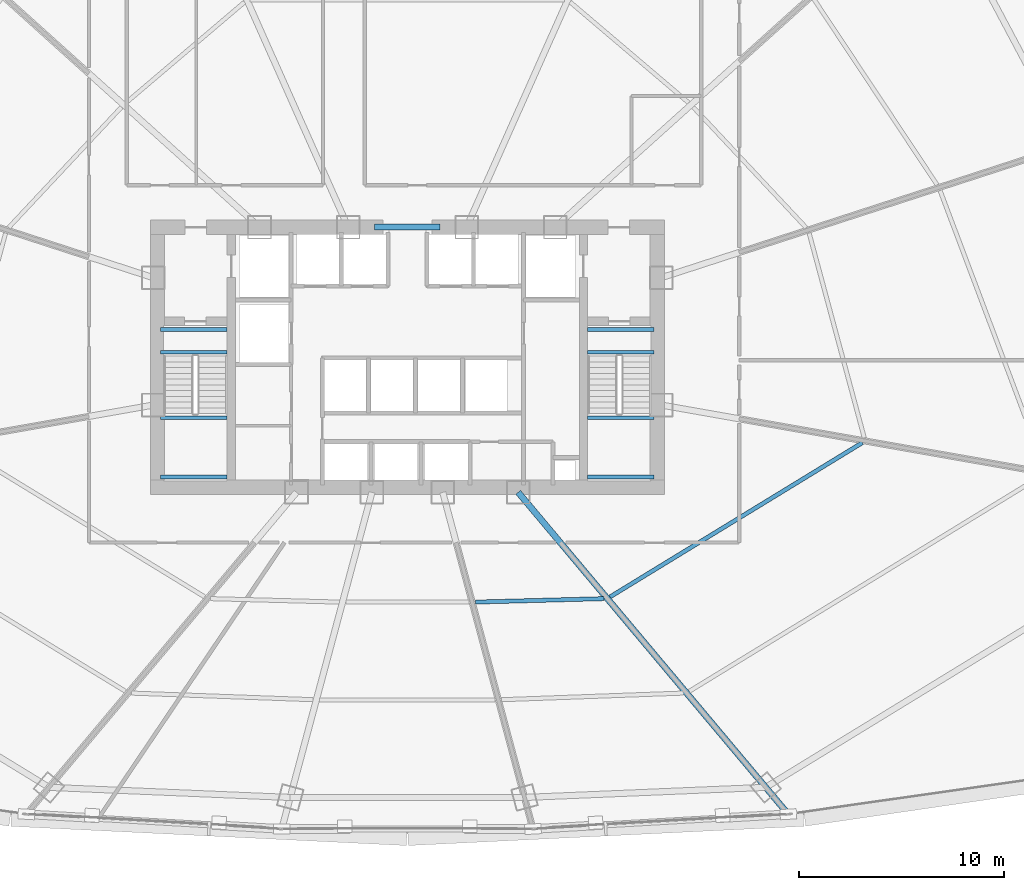
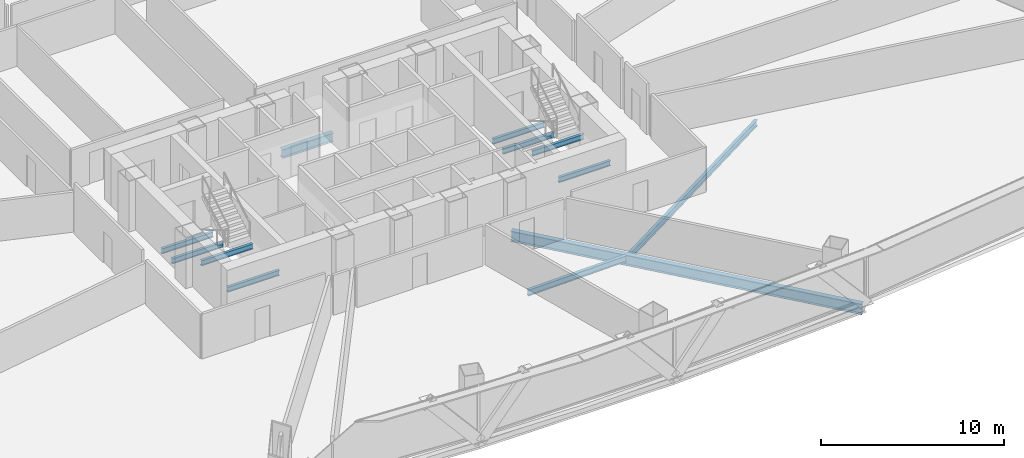
# One storey, part 13 of 42: 12 beams.
"""IFC4 building model written with IfcOpenShell, lengths in metres."""

import ifcopenshell
import ifcopenshell.guid

model = None  # the IFC model being written
_history = None  # IfcOwnerHistory: only IFC2X3 demands one
_inside = {}  # id of a spatial element -> (the spatial element, [elements in it])
_under = {}  # id of a project, library or spatial element -> (it, [spatial elements below it])
_declared = {}  # id of a project -> (the project, [libraries it declares])
_typed = {}  # id of a type object -> (the type object, [elements of that type])
_made_of = {}  # id of a material, layer set ... -> (it, [elements and type objects made of it])


def new_model(schema):
    """Start an empty IFC model of exactly this schema.

    Asked for "IFC4X3", IfcOpenShell would pick the latest addendum, in which some entities
    have other attributes; the version numbers below select the first issue.
    IFC2X3 requires an IfcOwnerHistory on every rooted entity: one is made here for all.
    """
    global model, _history
    if schema == "IFC4X3":
        model = ifcopenshell.file(schema_version=(4, 3, 0, 0))
    else:
        model = ifcopenshell.file(schema=schema)
    _inside.clear()
    _under.clear()
    _declared.clear()
    _typed.clear()
    _made_of.clear()
    _history = None
    if model.schema == "IFC2X3":
        org = make("IfcOrganization", Name="unknown")
        user = make(
            "IfcPersonAndOrganization",
            ThePerson=make("IfcPerson", FamilyName="unknown"),
            TheOrganization=org,
        )
        app = make(
            "IfcApplication",
            ApplicationDeveloper=org,
            Version="unknown",
            ApplicationFullName="unknown",
            ApplicationIdentifier="unknown",
        )
        _history = make(
            "IfcOwnerHistory",
            OwningUser=user,
            OwningApplication=app,
            ChangeAction="ADDED",
            CreationDate=0,
        )
    return model


def make(cls, **values):
    """One entity of the class cls with the attributes given. An attribute that is None is left unset."""
    return model.create_entity(
        cls, **{name: value for name, value in values.items() if value is not None}
    )


def rooted(cls, **values):
    """An entity with a GlobalId (a new one), such as an element, a storey or a relation."""
    return make(cls, GlobalId=ifcopenshell.guid.new(), OwnerHistory=_history, **values)


def si_unit(unit_type, name, prefix=None):
    """IfcSIUnit, for example si_unit("LENGTHUNIT", "METRE", prefix="MILLI")."""
    return make("IfcSIUnit", UnitType=unit_type, Prefix=prefix, Name=name)


def assignment(units):
    """IfcUnitAssignment: the units of a project."""
    return None if units is None else make("IfcUnitAssignment", Units=units)


def point(xyz):
    """IfcCartesianPoint."""
    return None if xyz is None else make("IfcCartesianPoint", Coordinates=xyz)


def direction(xyz):
    """IfcDirection."""
    return None if xyz is None else make("IfcDirection", DirectionRatios=xyz)


def frame(location, z_axis=None, x_axis=None):
    """IfcAxis2Placement3D, a coordinate frame: its origin and axes. An axis left out is left unset."""
    return make(
        "IfcAxis2Placement3D",
        Location=point(location),
        Axis=direction(z_axis),
        RefDirection=direction(x_axis),
    )


def frame_2d(location, x_axis=None):
    """IfcAxis2Placement2D, a coordinate frame in the plane: its origin and x axis."""
    return make(
        "IfcAxis2Placement2D", Location=point(location), RefDirection=direction(x_axis)
    )


def origin():
    """The frame at (0, 0, 0) with its axes left unset."""
    return frame((0.0, 0.0, 0.0))


def origin_2d():
    """The frame at (0, 0) in the plane with its x axis left unset."""
    return frame_2d((0.0, 0.0))


def place(relative_to, where):
    """IfcLocalPlacement: puts the frame where relative to a parent placement (None: the world)."""
    return make(
        "IfcLocalPlacement", PlacementRelTo=relative_to, RelativePlacement=where
    )


def context(
    kind, dimensions, precision=None, world=None, true_north=None, identifier=None
):
    """IfcGeometricRepresentationContext, for example the 3D "Model" context."""
    return make(
        "IfcGeometricRepresentationContext",
        ContextIdentifier=identifier,
        ContextType=kind,
        CoordinateSpaceDimension=dimensions,
        Precision=precision,
        WorldCoordinateSystem=world,
        TrueNorth=true_north,
    )


def subcontext(parent, identifier, kind, view, scale=None):
    """IfcGeometricRepresentationSubContext, for example "Body" below "Model"."""
    return make(
        "IfcGeometricRepresentationSubContext",
        ContextIdentifier=identifier,
        ContextType=kind,
        ParentContext=parent,
        TargetScale=scale,
        TargetView=view,
    )


def project(units=None, contexts=None):
    """IfcProject with its units and contexts."""
    return rooted(
        "IfcProject",
        Name="project",
        RepresentationContexts=contexts,
        UnitsInContext=assignment(units),
    )


def spatial(cls, under=None, at=None, **own):
    """A site, building, storey or space (cls), placed at a placement, below another one or the project."""
    s = rooted(cls, ObjectPlacement=at, **own)
    if under is not None:
        _under.setdefault(under.id(), (under, []))[1].append(s)
    return s


def profile(cls, at=None, kind="AREA", **sizes):
    """A parametric profile (cls). Its sizes go by their IFC names, for example OverallWidth=200.0."""
    return make(cls, ProfileType=kind, Position=at, **sizes)


def i_section(**sizes):
    """IfcIShapeProfileDef."""
    return profile("IfcIShapeProfileDef", **sizes)


def extrude(swept, where, along, depth):
    """IfcExtrudedAreaSolid: the profile swept, set in the frame where, extruded along a direction by depth."""
    return make(
        "IfcExtrudedAreaSolid",
        SweptArea=swept,
        Position=where,
        ExtrudedDirection=direction(along),
        Depth=depth,
    )


def shape(context_of_items, identifier, shape_type, items):
    """IfcShapeRepresentation: the items that make up one representation, for example the "Body"."""
    return make(
        "IfcShapeRepresentation",
        ContextOfItems=context_of_items,
        RepresentationIdentifier=identifier,
        RepresentationType=shape_type,
        Items=items,
    )


def source(mapping_origin, context_of_items, identifier, shape_type, items):
    """IfcRepresentationMap: a shape defined once, which mapped items show again and again."""
    return make(
        "IfcRepresentationMap",
        MappingOrigin=mapping_origin,
        MappedRepresentation=shape(context_of_items, identifier, shape_type, items),
    )


def transform(
    local_origin,
    x_axis=None,
    y_axis=None,
    z_axis=None,
    scale=None,
    scale2=None,
    scale3=None,
    uniform=True,
):
    """IfcCartesianTransformationOperator3D, or its non-uniform kind. x_axis, y_axis, z_axis: its Axis1, 2, 3."""
    if uniform:
        return make(
            "IfcCartesianTransformationOperator3D",
            Axis1=direction(x_axis),
            Axis2=direction(y_axis),
            LocalOrigin=point(local_origin),
            Scale=scale,
            Axis3=direction(z_axis),
        )
    return make(
        "IfcCartesianTransformationOperator3DnonUniform",
        Axis1=direction(x_axis),
        Axis2=direction(y_axis),
        LocalOrigin=point(local_origin),
        Scale=scale,
        Axis3=direction(z_axis),
        Scale2=scale2,
        Scale3=scale3,
    )


def mapped(mapping_source, mapping_target):
    """IfcMappedItem: shows the shape of a source again, moved by a transform."""
    return make(
        "IfcMappedItem", MappingSource=mapping_source, MappingTarget=mapping_target
    )


def material(Name=None, Category=None):
    """IfcMaterial."""
    return make("IfcMaterial", Name=Name, Category=Category)


def material_profile(
    of_material, cross_section, Name=None, Category=None, Priority=None
):
    """IfcMaterialProfile: a cross section and its material."""
    return make(
        "IfcMaterialProfile",
        Name=Name,
        Material=of_material,
        Profile=cross_section,
        Priority=Priority,
        Category=Category,
    )


def profile_set(profiles, Name=None, composite=None):
    """IfcMaterialProfileSet."""
    return make(
        "IfcMaterialProfileSet",
        Name=Name,
        MaterialProfiles=profiles,
        CompositeProfile=composite,
    )


def made_of(thing, what):
    """Note that an element or type object is made of a material, layer set ...; save() writes the relation."""
    if what is not None:
        _made_of.setdefault(what.id(), (what, []))[1].append(thing)
    return thing


def type_object(cls, material=None, **own):
    """A type object (cls), such as IfcWallType, which elements share."""
    return made_of(rooted(cls, **own), material)


def element(
    cls,
    number,
    at=None,
    inside=None,
    cuts=None,
    type_object=None,
    material=None,
    context=None,
    identifier="Body",
    shape_type=None,
    held_by="IfcProductDefinitionShape",
    body=None,
    shapes=None,
    **own,
):
    """One element of the class cls, such as IfcWall. Its Tag is "e" and its number.

    at: its placement. inside: the storey or other place that contains it. cuts: it is an
    opening in that element (IfcRelVoidsElement). A single representation is given by context,
    identifier, shape_type and body (its items); several are given by shapes. held_by: the class
    of the entity that holds the representations. save() writes the other relations.
    """
    e = rooted(cls, Tag="e%d" % number, ObjectPlacement=at, **own)
    if body is not None:
        shapes = [shape(context, identifier, shape_type, body)]
    if shapes is not None:
        e.Representation = make(held_by, Representations=shapes)
    if inside is not None:
        _inside.setdefault(inside.id(), (inside, []))[1].append(e)
    if cuts is not None:
        rooted(
            "IfcRelVoidsElement", RelatingBuildingElement=cuts, RelatedOpeningElement=e
        )
    if type_object is not None:
        _typed.setdefault(type_object.id(), (type_object, []))[1].append(e)
    return made_of(e, material)


def aggregate(whole, parts):
    """IfcRelAggregates: a whole, such as a stair, and the parts it consists of."""
    return rooted("IfcRelAggregates", RelatingObject=whole, RelatedObjects=parts)


def save(model, path):
    """Write the relations noted so far, then the file.

    IfcRelAggregates (storeys below a building ...), IfcRelContainedInSpatialStructure (elements
    in a storey), IfcRelDefinesByType, IfcRelAssociatesMaterial and IfcRelDeclares: one each for
    every whole, place, type object, material and project.
    """
    for whole, parts in _under.values():
        aggregate(whole, parts)
    for where, things in _inside.values():
        rooted(
            "IfcRelContainedInSpatialStructure",
            RelatedElements=things,
            RelatingStructure=where,
        )
    for kind, things in _typed.values():
        rooted("IfcRelDefinesByType", RelatedObjects=things, RelatingType=kind)
    for what, things in _made_of.values():
        rooted("IfcRelAssociatesMaterial", RelatedObjects=things, RelatingMaterial=what)
    for by, libraries in _declared.values():
        rooted("IfcRelDeclares", RelatingContext=by, RelatedDefinitions=libraries)
    model.write(path)


model = new_model("IFC4")

# Units and contexts
model_context = context("Model", 3, precision=1e-05, world=origin(), true_north=direction((0.0, 1.0)))
body_context = subcontext(model_context, "Body", "Model", "MODEL_VIEW")
ifc_project = project(units=[si_unit("LENGTHUNIT", "METRE"), si_unit("AREAUNIT", "SQUARE_METRE"), si_unit("VOLUMEUNIT", "CUBIC_METRE"), si_unit("PLANEANGLEUNIT", "RADIAN"), si_unit("MASSUNIT", "GRAM", prefix="KILO"), si_unit("THERMODYNAMICTEMPERATUREUNIT", "KELVIN"), si_unit("POWERUNIT", "WATT")], contexts=[model_context])

# Site, building, storey
site_placement = place(None, origin())
site = spatial("IfcSite", under=ifc_project, at=site_placement, CompositionType="ELEMENT")
building_placement = place(site_placement, origin())
building = spatial("IfcBuilding", under=site, at=building_placement, Name="Yunzhuo Pagoda Commons", CompositionType="ELEMENT")
storey_placement = place(building_placement, frame((0.0, 0.0, 48.550048828125)))
storey = spatial("IfcBuildingStorey", under=building, at=storey_placement, Name="L12", CompositionType="ELEMENT", Elevation=48.550048828125)

# Beams
ifc_material_1 = material(Name="Structural steel Q355B", Category="steel")
ifc_material_profile_1 = material_profile(ifc_material_1, i_section(OverallWidth=0.175048828125, OverallDepth=0.35009765625, WebThickness=0.007080078125, FlangeThickness=0.010986328125, at=origin_2d()), Name="Structural steel Q355B")
ifc_profile_set_1 = profile_set([ifc_material_profile_1], Name="Structural steel Q355B")
beam_type_1 = type_object("IfcBeamType", Name="B-JS2 Joist HN 350x175x7x11", PredefinedType="JOIST", material=ifc_profile_set_1)
shared_shape_1 = source(origin(), body_context, "Body", "SweptSolid", [
    extrude(i_section(OverallWidth=0.175048828125, OverallDepth=0.35009765625, WebThickness=0.007080078125, FlangeThickness=0.010986328125, at=origin_2d()), origin(), (0.0, 0.0, 1.0), 3.25),
])
for number, where, z_axis, x_axis, name in (
    (1, (35.949951171875, 28.0, 1.43994140625), (1.0, 0.0, 0.0), (0.0, 1.0, 0.0), "L12 ST1 landing support beam 16A"),
    (2, (35.949951171875, 30.89990234375, 1.43994140625), (1.0, 0.0, 0.0), (0.0, 1.0, 0.0), "L12 ST1 landing support beam 16B"),
    (3, (35.949951171875, 34.10009765625, -0.375), (1.0, 0.0, 0.0), (0.0, 1.0, 0.0), "L12 ST1 landing support beam 116A"),
    (4, (35.949951171875, 35.199951171875, -0.375), (1.0, 0.0, 0.0), (0.0, 1.0, 0.0), "L12 ST1 landing support beam 116B"),
    (5, (56.800048828125, 28.0, 1.43994140625), (1.0, 0.0, 0.0), (0.0, 1.0, 0.0), "L12 ST2 landing support beam 16A"),
    (6, (56.800048828125, 30.89990234375, 1.43994140625), (1.0, 0.0, 0.0), (0.0, 1.0, 0.0), "L12 ST2 landing support beam 16B"),
    (7, (56.800048828125, 34.10009765625, -0.375), (1.0, 0.0, 0.0), (0.0, 1.0, 0.0), "L12 ST2 landing support beam 116A"),
    (8, (56.800048828125, 35.199951171875, -0.375), (1.0, 0.0, 0.0), (0.0, 1.0, 0.0), "L12 ST2 landing support beam 116B"),
):
    element("IfcBeam", number, at=place(storey_placement, frame(where, z_axis=z_axis, x_axis=x_axis)), inside=storey, type_object=beam_type_1, Name=name, PredefinedType="JOIST", context=body_context, shape_type="MappedRepresentation", body=[
        mapped(shared_shape_1, transform((0.0, 0.0, 0.0), scale=1.0)),
    ])
ifc_material_2 = material(Name="Structural steel Q420B", Category="steel")
ifc_material_profile_2 = material_profile(ifc_material_2, i_section(OverallWidth=0.300048828125, OverallDepth=0.587890625, WebThickness=0.011962890625, FlangeThickness=0.02001953125, at=origin_2d()), Name="Structural steel Q420B")
ifc_profile_set_2 = profile_set([ifc_material_profile_2], Name="Structural steel Q420B")
beam_type_2 = type_object("IfcBeamType", Name="B-CPL Beam HM 588x300x12x20", PredefinedType="BEAM", material=ifc_profile_set_2)
shared_shape_2 = source(origin(), body_context, "Body", "SweptSolid", [
    extrude(i_section(OverallWidth=0.300048828125, OverallDepth=0.587890625, WebThickness=0.011962890625, FlangeThickness=0.02001953125, at=origin_2d()), origin(), (0.0, 0.0, 1.0), 3.2001953125),
])
beam_1_placement = place(storey_placement, frame((46.39990234375, 40.199951171875, -0.553955078125), z_axis=(1.0, 0.0, 0.0), x_axis=(0.0, 1.0, 0.0)))
element("IfcBeam", 9, at=beam_1_placement, inside=storey, type_object=beam_type_2, Name="L12 core coupling girder", PredefinedType="BEAM", context=body_context, shape_type="MappedRepresentation", body=[
    mapped(shared_shape_2, transform((0.0, 0.0, 0.0), scale=1.0)),
])
ifc_material_profile_3 = material_profile(ifc_material_1, i_section(OverallWidth=0.199951171875, OverallDepth=0.39990234375, WebThickness=0.008056640625, FlangeThickness=0.012939453125, at=origin_2d()), Name="Structural steel Q355B")
ifc_profile_set_3 = profile_set([ifc_material_profile_3], Name="Structural steel Q355B")
beam_type_3 = type_object("IfcBeamType", Name="B-JS1 Joist HN 400x200x8x13", PredefinedType="JOIST", material=ifc_profile_set_3)
shared_shape_3 = source(origin(), body_context, "Body", "SweptSolid", [
    extrude(i_section(OverallWidth=0.199951171875, OverallDepth=0.39990234375, WebThickness=0.008056640625, FlangeThickness=0.012939453125, at=origin_2d()), origin(), (0.0, 0.0, 1.0), 6.283203125),
])
beam_2_placement = place(storey_placement, frame((51.32421875, 21.89111328125, -0.4599609375), z_axis=(0.999638450037, 0.026888086735, 0.0), x_axis=(-0.026888086735, 0.999638450037, 0.0)))
element("IfcBeam", 10, at=beam_2_placement, inside=storey, type_object=beam_type_3, Name="L12 composite ring joist 1.3", PredefinedType="JOIST", context=body_context, shape_type="MappedRepresentation", body=[
    mapped(shared_shape_3, transform((0.0, 0.0, 0.0), scale=1.0)),
])
shared_shape_4 = source(origin(), body_context, "Body", "SweptSolid", [
    extrude(i_section(OverallWidth=0.199951171875, OverallDepth=0.39990234375, WebThickness=0.008056640625, FlangeThickness=0.012939453125, at=origin_2d()), origin(), (0.0, 0.0, 1.0), 14.4365234375),
])
beam_3_placement = place(storey_placement, frame((57.8994140625, 22.14697265625, -0.4599609375), z_axis=(0.85325633277, 0.521491735876, 0.0), x_axis=(-0.521491735876, 0.85325633277, 0.0)))
element("IfcBeam", 11, at=beam_3_placement, inside=storey, type_object=beam_type_3, Name="L12 composite ring joist 1.4", PredefinedType="JOIST", context=body_context, shape_type="MappedRepresentation", body=[
    mapped(shared_shape_4, transform((0.0, 0.0, 0.0), scale=1.0)),
])
ifc_material_profile_4 = material_profile(ifc_material_1, i_section(OverallWidth=0.300048828125, OverallDepth=0.699951171875, WebThickness=0.012939453125, FlangeThickness=0.02392578125, at=origin_2d()), Name="Structural steel Q355B")
ifc_profile_set_4 = profile_set([ifc_material_profile_4], Name="Structural steel Q355B")
beam_type_4 = type_object("IfcBeamType", Name="B-RG1 Beam HN 700x300x13x24", PredefinedType="BEAM", material=ifc_profile_set_4)
shared_shape_5 = source(origin(), body_context, "Body", "SweptSolid", [
    extrude(i_section(OverallWidth=0.300048828125, OverallDepth=0.699951171875, WebThickness=0.012939453125, FlangeThickness=0.02392578125, at=origin_2d()), origin(), (0.0, 0.0, 1.0), 20.3623046875),
])
beam_4_placement = place(storey_placement, frame((66.500732421875, 11.651611328125, -0.610107421875), z_axis=(-0.642788211009, 0.766043938549, 0.0), x_axis=(-0.766043938549, -0.642788211009, 0.0)))
element("IfcBeam", 12, at=beam_4_placement, inside=storey, type_object=beam_type_4, Name="L12 radial floor girder F1C4", PredefinedType="BEAM", context=body_context, shape_type="MappedRepresentation", body=[
    mapped(shared_shape_5, transform((0.0, 0.0, 0.0), scale=1.0)),
])

save(model, "model.ifc")
